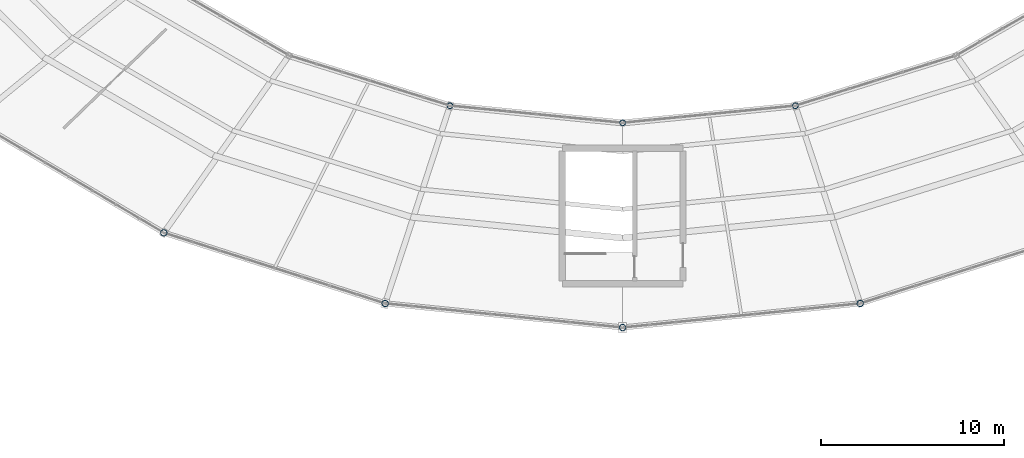
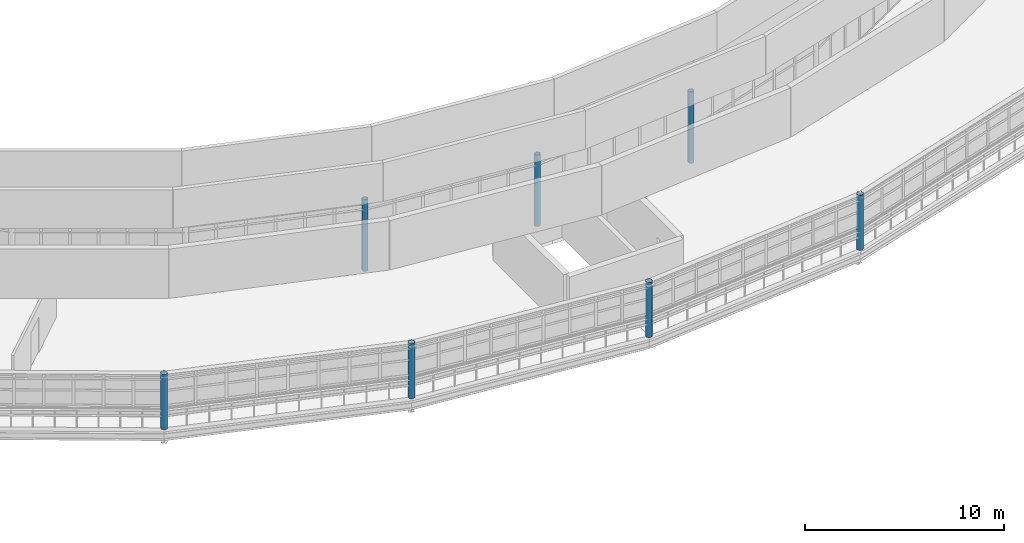
# One storey, part 6 of 123: 7 columns.
"""IFC4 building model written with IfcOpenShell, lengths in metres."""

import ifcopenshell
import ifcopenshell.guid

model = None  # the IFC model being written
_history = None  # IfcOwnerHistory: only IFC2X3 demands one
_inside = {}  # id of a spatial element -> (the spatial element, [elements in it])
_under = {}  # id of a project, library or spatial element -> (it, [spatial elements below it])
_declared = {}  # id of a project -> (the project, [libraries it declares])
_typed = {}  # id of a type object -> (the type object, [elements of that type])
_made_of = {}  # id of a material, layer set ... -> (it, [elements and type objects made of it])


def new_model(schema):
    """Start an empty IFC model of exactly this schema.

    Asked for "IFC4X3", IfcOpenShell would pick the latest addendum, in which some entities
    have other attributes; the version numbers below select the first issue.
    IFC2X3 requires an IfcOwnerHistory on every rooted entity: one is made here for all.
    """
    global model, _history
    if schema == "IFC4X3":
        model = ifcopenshell.file(schema_version=(4, 3, 0, 0))
    else:
        model = ifcopenshell.file(schema=schema)
    _inside.clear()
    _under.clear()
    _declared.clear()
    _typed.clear()
    _made_of.clear()
    _history = None
    if model.schema == "IFC2X3":
        org = make("IfcOrganization", Name="unknown")
        user = make(
            "IfcPersonAndOrganization",
            ThePerson=make("IfcPerson", FamilyName="unknown"),
            TheOrganization=org,
        )
        app = make(
            "IfcApplication",
            ApplicationDeveloper=org,
            Version="unknown",
            ApplicationFullName="unknown",
            ApplicationIdentifier="unknown",
        )
        _history = make(
            "IfcOwnerHistory",
            OwningUser=user,
            OwningApplication=app,
            ChangeAction="ADDED",
            CreationDate=0,
        )
    return model


def make(cls, **values):
    """One entity of the class cls with the attributes given. An attribute that is None is left unset."""
    return model.create_entity(
        cls, **{name: value for name, value in values.items() if value is not None}
    )


def rooted(cls, **values):
    """An entity with a GlobalId (a new one), such as an element, a storey or a relation."""
    return make(cls, GlobalId=ifcopenshell.guid.new(), OwnerHistory=_history, **values)


def si_unit(unit_type, name, prefix=None):
    """IfcSIUnit, for example si_unit("LENGTHUNIT", "METRE", prefix="MILLI")."""
    return make("IfcSIUnit", UnitType=unit_type, Prefix=prefix, Name=name)


def assignment(units):
    """IfcUnitAssignment: the units of a project."""
    return None if units is None else make("IfcUnitAssignment", Units=units)


def point(xyz):
    """IfcCartesianPoint."""
    return None if xyz is None else make("IfcCartesianPoint", Coordinates=xyz)


def direction(xyz):
    """IfcDirection."""
    return None if xyz is None else make("IfcDirection", DirectionRatios=xyz)


def frame(location, z_axis=None, x_axis=None):
    """IfcAxis2Placement3D, a coordinate frame: its origin and axes. An axis left out is left unset."""
    return make(
        "IfcAxis2Placement3D",
        Location=point(location),
        Axis=direction(z_axis),
        RefDirection=direction(x_axis),
    )


def frame_2d(location, x_axis=None):
    """IfcAxis2Placement2D, a coordinate frame in the plane: its origin and x axis."""
    return make(
        "IfcAxis2Placement2D", Location=point(location), RefDirection=direction(x_axis)
    )


def origin():
    """The frame at (0, 0, 0) with its axes left unset."""
    return frame((0.0, 0.0, 0.0))


def origin_2d():
    """The frame at (0, 0) in the plane with its x axis left unset."""
    return frame_2d((0.0, 0.0))


def place(relative_to, where):
    """IfcLocalPlacement: puts the frame where relative to a parent placement (None: the world)."""
    return make(
        "IfcLocalPlacement", PlacementRelTo=relative_to, RelativePlacement=where
    )


def context(
    kind, dimensions, precision=None, world=None, true_north=None, identifier=None
):
    """IfcGeometricRepresentationContext, for example the 3D "Model" context."""
    return make(
        "IfcGeometricRepresentationContext",
        ContextIdentifier=identifier,
        ContextType=kind,
        CoordinateSpaceDimension=dimensions,
        Precision=precision,
        WorldCoordinateSystem=world,
        TrueNorth=true_north,
    )


def subcontext(parent, identifier, kind, view, scale=None):
    """IfcGeometricRepresentationSubContext, for example "Body" below "Model"."""
    return make(
        "IfcGeometricRepresentationSubContext",
        ContextIdentifier=identifier,
        ContextType=kind,
        ParentContext=parent,
        TargetScale=scale,
        TargetView=view,
    )


def project(units=None, contexts=None):
    """IfcProject with its units and contexts."""
    return rooted(
        "IfcProject",
        Name="project",
        RepresentationContexts=contexts,
        UnitsInContext=assignment(units),
    )


def spatial(cls, under=None, at=None, **own):
    """A site, building, storey or space (cls), placed at a placement, below another one or the project."""
    s = rooted(cls, ObjectPlacement=at, **own)
    if under is not None:
        _under.setdefault(under.id(), (under, []))[1].append(s)
    return s


def profile(cls, at=None, kind="AREA", **sizes):
    """A parametric profile (cls). Its sizes go by their IFC names, for example OverallWidth=200.0."""
    return make(cls, ProfileType=kind, Position=at, **sizes)


def hollow_circle(**sizes):
    """IfcCircleHollowProfileDef."""
    return profile("IfcCircleHollowProfileDef", **sizes)


def extrude(swept, where, along, depth):
    """IfcExtrudedAreaSolid: the profile swept, set in the frame where, extruded along a direction by depth."""
    return make(
        "IfcExtrudedAreaSolid",
        SweptArea=swept,
        Position=where,
        ExtrudedDirection=direction(along),
        Depth=depth,
    )


def shape(context_of_items, identifier, shape_type, items):
    """IfcShapeRepresentation: the items that make up one representation, for example the "Body"."""
    return make(
        "IfcShapeRepresentation",
        ContextOfItems=context_of_items,
        RepresentationIdentifier=identifier,
        RepresentationType=shape_type,
        Items=items,
    )


def material(Name=None, Category=None):
    """IfcMaterial."""
    return make("IfcMaterial", Name=Name, Category=Category)


def material_profile(
    of_material, cross_section, Name=None, Category=None, Priority=None
):
    """IfcMaterialProfile: a cross section and its material."""
    return make(
        "IfcMaterialProfile",
        Name=Name,
        Material=of_material,
        Profile=cross_section,
        Priority=Priority,
        Category=Category,
    )


def profile_set(profiles, Name=None, composite=None):
    """IfcMaterialProfileSet."""
    return make(
        "IfcMaterialProfileSet",
        Name=Name,
        MaterialProfiles=profiles,
        CompositeProfile=composite,
    )


def made_of(thing, what):
    """Note that an element or type object is made of a material, layer set ...; save() writes the relation."""
    if what is not None:
        _made_of.setdefault(what.id(), (what, []))[1].append(thing)
    return thing


def type_object(cls, material=None, **own):
    """A type object (cls), such as IfcWallType, which elements share."""
    return made_of(rooted(cls, **own), material)


def element(
    cls,
    number,
    at=None,
    inside=None,
    cuts=None,
    type_object=None,
    material=None,
    context=None,
    identifier="Body",
    shape_type=None,
    held_by="IfcProductDefinitionShape",
    body=None,
    shapes=None,
    **own,
):
    """One element of the class cls, such as IfcWall. Its Tag is "e" and its number.

    at: its placement. inside: the storey or other place that contains it. cuts: it is an
    opening in that element (IfcRelVoidsElement). A single representation is given by context,
    identifier, shape_type and body (its items); several are given by shapes. held_by: the class
    of the entity that holds the representations. save() writes the other relations.
    """
    e = rooted(cls, Tag="e%d" % number, ObjectPlacement=at, **own)
    if body is not None:
        shapes = [shape(context, identifier, shape_type, body)]
    if shapes is not None:
        e.Representation = make(held_by, Representations=shapes)
    if inside is not None:
        _inside.setdefault(inside.id(), (inside, []))[1].append(e)
    if cuts is not None:
        rooted(
            "IfcRelVoidsElement", RelatingBuildingElement=cuts, RelatedOpeningElement=e
        )
    if type_object is not None:
        _typed.setdefault(type_object.id(), (type_object, []))[1].append(e)
    return made_of(e, material)


def aggregate(whole, parts):
    """IfcRelAggregates: a whole, such as a stair, and the parts it consists of."""
    return rooted("IfcRelAggregates", RelatingObject=whole, RelatedObjects=parts)


def save(model, path):
    """Write the relations noted so far, then the file.

    IfcRelAggregates (storeys below a building ...), IfcRelContainedInSpatialStructure (elements
    in a storey), IfcRelDefinesByType, IfcRelAssociatesMaterial and IfcRelDeclares: one each for
    every whole, place, type object, material and project.
    """
    for whole, parts in _under.values():
        aggregate(whole, parts)
    for where, things in _inside.values():
        rooted(
            "IfcRelContainedInSpatialStructure",
            RelatedElements=things,
            RelatingStructure=where,
        )
    for kind, things in _typed.values():
        rooted("IfcRelDefinesByType", RelatedObjects=things, RelatingType=kind)
    for what, things in _made_of.values():
        rooted("IfcRelAssociatesMaterial", RelatedObjects=things, RelatingMaterial=what)
    for by, libraries in _declared.values():
        rooted("IfcRelDeclares", RelatingContext=by, RelatedDefinitions=libraries)
    model.write(path)


model = new_model("IFC4")

# Units and contexts
model_context = context("Model", 3, precision=1e-05, world=origin(), true_north=direction((0.0, 1.0)))
body_context = subcontext(model_context, "Body", "Model", "MODEL_VIEW")
ifc_project = project(units=[si_unit("LENGTHUNIT", "METRE"), si_unit("AREAUNIT", "SQUARE_METRE"), si_unit("VOLUMEUNIT", "CUBIC_METRE"), si_unit("PLANEANGLEUNIT", "RADIAN"), si_unit("MASSUNIT", "GRAM", prefix="KILO")], contexts=[model_context])

# Site, building, storey
site_placement = place(None, origin())
site = spatial("IfcSite", under=ifc_project, at=site_placement, CompositionType="ELEMENT")
building_placement = place(site_placement, origin())
building = spatial("IfcBuilding", under=site, at=building_placement, Name="Kildeholm Park Wholesale Market", CompositionType="ELEMENT")
storey_placement = place(building_placement, frame((0.0, 0.0, 9.60009765625)))
storey = spatial("IfcBuildingStorey", under=building, at=storey_placement, Name="L02", CompositionType="ELEMENT", Elevation=9.60009765625)

# Columns
ifc_material = material(Name="Steel S355", Category="steel")
ifc_material_profile_1 = material_profile(ifc_material, hollow_circle(Radius=0.161865234375, WallThickness=0.01611328125, at=origin_2d()), Name="CHS 323.9x16")
ifc_profile_set_1 = profile_set([ifc_material_profile_1], Name="Steel S355")
column_type_1 = type_object("IfcColumnType", Name="Column C-S09 CHS 323.9x16", PredefinedType="COLUMN", material=ifc_profile_set_1)
for number, where, z_axis, x_axis, name in (
    (1, (89.552978515625, 62.93701171875, 0.0), (0.0, 0.0, 1.0), (-0.258819045103, -0.965925826289, 0.0), "Column V1-IN-17 L02 COL-0156"),
    (2, (99.0, 62.0, 0.0), (0.0, 0.0, 1.0), (0.0, -1.0, 0.0), "Column V1-IN-18 L02 COL-0165"),
    (3, (108.447021484375, 62.93701171875, 0.0), (0.0, 0.0, 1.0), (0.258819045103, -0.965925826289, 0.0), "Column V1-IN-19 L02 COL-0174"),
):
    element("IfcColumn", number, at=place(storey_placement, frame(where, z_axis=z_axis, x_axis=x_axis)), inside=storey, type_object=column_type_1, Name=name, PredefinedType="COLUMN", context=body_context, shape_type="SweptSolid", body=[
        extrude(hollow_circle(Radius=0.161865234375, WallThickness=0.01611328125, at=origin_2d()), origin(), (0.0, 0.0, 1.0), 4.3798828125),
    ])
ifc_material_profile_2 = material_profile(ifc_material, hollow_circle(Radius=0.177734375, WallThickness=0.01611328125, at=origin_2d()), Name="CHS 355.6x16")
ifc_profile_set_2 = profile_set([ifc_material_profile_2], Name="Steel S355")
column_type_2 = type_object("IfcColumnType", Name="Column C-S10 CHS 355.6x16", PredefinedType="COLUMN", material=ifc_profile_set_2)
for number, where, z_axis, x_axis, name in (
    (4, (73.89990234375, 55.985107421875, 0.0), (0.0, 0.0, 1.0), (-0.5, -0.866025403784, 0.0), "Column V1-MD-16 L02 COL-0150"),
    (5, (86.007080078125, 52.118896484375, 0.0), (0.0, 0.0, 1.0), (-0.258819045103, -0.965925826289, 0.0), "Column V1-MD-17 L02 COL-0159"),
    (6, (99.0, 50.800048828125, 0.0), (0.0, 0.0, 1.0), (0.0, -1.0, 0.0), "Column V1-MD-18 L02 COL-0168"),
    (7, (111.992919921875, 52.118896484375, 0.0), (0.0, 0.0, 1.0), (0.258819045103, -0.965925826289, 0.0), "Column V1-MD-19 L02 COL-0177"),
):
    element("IfcColumn", number, at=place(storey_placement, frame(where, z_axis=z_axis, x_axis=x_axis)), inside=storey, type_object=column_type_2, Name=name, PredefinedType="COLUMN", context=body_context, shape_type="SweptSolid", body=[
        extrude(hollow_circle(Radius=0.177734375, WallThickness=0.01611328125, at=origin_2d()), origin(), (0.0, 0.0, 1.0), 3.3798828125),
    ])

save(model, "model.ifc")
